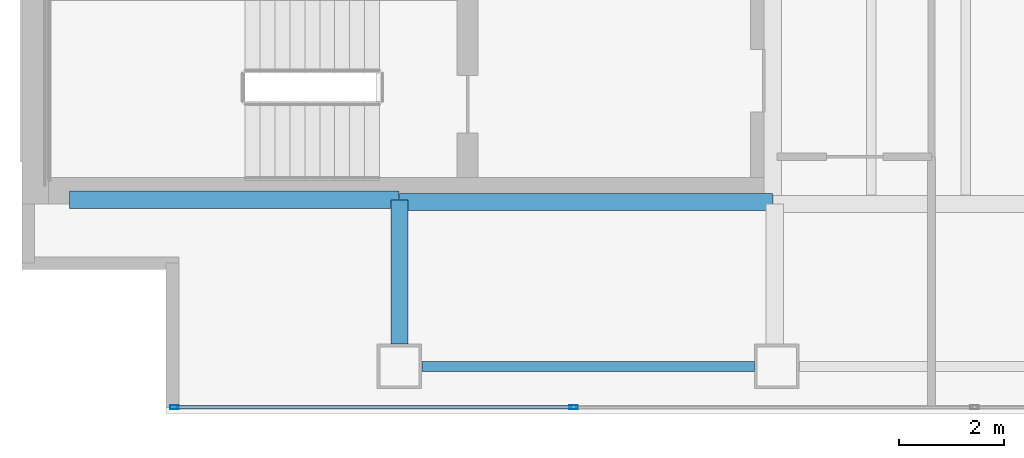
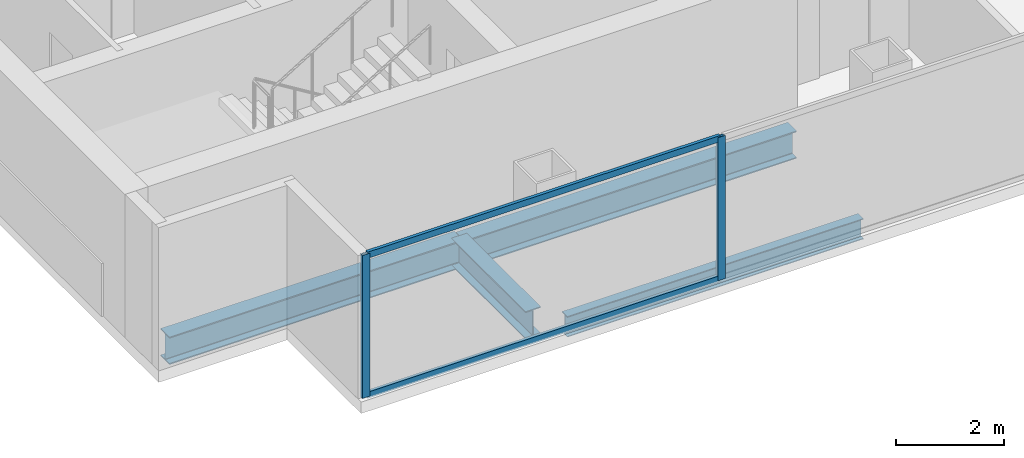
# One storey, part 2 of 23: 4 beams, 4 members, 1 element without a shape of its own.
"""IFC4 building model written with IfcOpenShell, lengths in metres."""

import ifcopenshell
import ifcopenshell.guid

model = None  # the IFC model being written
_history = None  # IfcOwnerHistory: only IFC2X3 demands one
_inside = {}  # id of a spatial element -> (the spatial element, [elements in it])
_under = {}  # id of a project, library or spatial element -> (it, [spatial elements below it])
_declared = {}  # id of a project -> (the project, [libraries it declares])
_typed = {}  # id of a type object -> (the type object, [elements of that type])
_made_of = {}  # id of a material, layer set ... -> (it, [elements and type objects made of it])


def new_model(schema):
    """Start an empty IFC model of exactly this schema.

    Asked for "IFC4X3", IfcOpenShell would pick the latest addendum, in which some entities
    have other attributes; the version numbers below select the first issue.
    IFC2X3 requires an IfcOwnerHistory on every rooted entity: one is made here for all.
    """
    global model, _history
    if schema == "IFC4X3":
        model = ifcopenshell.file(schema_version=(4, 3, 0, 0))
    else:
        model = ifcopenshell.file(schema=schema)
    _inside.clear()
    _under.clear()
    _declared.clear()
    _typed.clear()
    _made_of.clear()
    _history = None
    if model.schema == "IFC2X3":
        org = make("IfcOrganization", Name="unknown")
        user = make(
            "IfcPersonAndOrganization",
            ThePerson=make("IfcPerson", FamilyName="unknown"),
            TheOrganization=org,
        )
        app = make(
            "IfcApplication",
            ApplicationDeveloper=org,
            Version="unknown",
            ApplicationFullName="unknown",
            ApplicationIdentifier="unknown",
        )
        _history = make(
            "IfcOwnerHistory",
            OwningUser=user,
            OwningApplication=app,
            ChangeAction="ADDED",
            CreationDate=0,
        )
    return model


def make(cls, **values):
    """One entity of the class cls with the attributes given. An attribute that is None is left unset."""
    return model.create_entity(
        cls, **{name: value for name, value in values.items() if value is not None}
    )


def rooted(cls, **values):
    """An entity with a GlobalId (a new one), such as an element, a storey or a relation."""
    return make(cls, GlobalId=ifcopenshell.guid.new(), OwnerHistory=_history, **values)


def si_unit(unit_type, name, prefix=None):
    """IfcSIUnit, for example si_unit("LENGTHUNIT", "METRE", prefix="MILLI")."""
    return make("IfcSIUnit", UnitType=unit_type, Prefix=prefix, Name=name)


def assignment(units):
    """IfcUnitAssignment: the units of a project."""
    return None if units is None else make("IfcUnitAssignment", Units=units)


def point(xyz):
    """IfcCartesianPoint."""
    return None if xyz is None else make("IfcCartesianPoint", Coordinates=xyz)


def direction(xyz):
    """IfcDirection."""
    return None if xyz is None else make("IfcDirection", DirectionRatios=xyz)


def frame(location, z_axis=None, x_axis=None):
    """IfcAxis2Placement3D, a coordinate frame: its origin and axes. An axis left out is left unset."""
    return make(
        "IfcAxis2Placement3D",
        Location=point(location),
        Axis=direction(z_axis),
        RefDirection=direction(x_axis),
    )


def frame_2d(location, x_axis=None):
    """IfcAxis2Placement2D, a coordinate frame in the plane: its origin and x axis."""
    return make(
        "IfcAxis2Placement2D", Location=point(location), RefDirection=direction(x_axis)
    )


def origin():
    """The frame at (0, 0, 0) with its axes left unset."""
    return frame((0.0, 0.0, 0.0))


def origin_2d():
    """The frame at (0, 0) in the plane with its x axis left unset."""
    return frame_2d((0.0, 0.0))


def place(relative_to, where):
    """IfcLocalPlacement: puts the frame where relative to a parent placement (None: the world)."""
    return make(
        "IfcLocalPlacement", PlacementRelTo=relative_to, RelativePlacement=where
    )


def context(
    kind, dimensions, precision=None, world=None, true_north=None, identifier=None
):
    """IfcGeometricRepresentationContext, for example the 3D "Model" context."""
    return make(
        "IfcGeometricRepresentationContext",
        ContextIdentifier=identifier,
        ContextType=kind,
        CoordinateSpaceDimension=dimensions,
        Precision=precision,
        WorldCoordinateSystem=world,
        TrueNorth=true_north,
    )


def subcontext(parent, identifier, kind, view, scale=None):
    """IfcGeometricRepresentationSubContext, for example "Body" below "Model"."""
    return make(
        "IfcGeometricRepresentationSubContext",
        ContextIdentifier=identifier,
        ContextType=kind,
        ParentContext=parent,
        TargetScale=scale,
        TargetView=view,
    )


def project(units=None, contexts=None):
    """IfcProject with its units and contexts."""
    return rooted(
        "IfcProject",
        Name="project",
        RepresentationContexts=contexts,
        UnitsInContext=assignment(units),
    )


def spatial(cls, under=None, at=None, **own):
    """A site, building, storey or space (cls), placed at a placement, below another one or the project."""
    s = rooted(cls, ObjectPlacement=at, **own)
    if under is not None:
        _under.setdefault(under.id(), (under, []))[1].append(s)
    return s


def profile(cls, at=None, kind="AREA", **sizes):
    """A parametric profile (cls). Its sizes go by their IFC names, for example OverallWidth=200.0."""
    return make(cls, ProfileType=kind, Position=at, **sizes)


def hollow_rectangle(**sizes):
    """IfcRectangleHollowProfileDef."""
    return profile("IfcRectangleHollowProfileDef", **sizes)


def i_section(**sizes):
    """IfcIShapeProfileDef."""
    return profile("IfcIShapeProfileDef", **sizes)


def extrude(swept, where, along, depth):
    """IfcExtrudedAreaSolid: the profile swept, set in the frame where, extruded along a direction by depth."""
    return make(
        "IfcExtrudedAreaSolid",
        SweptArea=swept,
        Position=where,
        ExtrudedDirection=direction(along),
        Depth=depth,
    )


def shape(context_of_items, identifier, shape_type, items):
    """IfcShapeRepresentation: the items that make up one representation, for example the "Body"."""
    return make(
        "IfcShapeRepresentation",
        ContextOfItems=context_of_items,
        RepresentationIdentifier=identifier,
        RepresentationType=shape_type,
        Items=items,
    )


def material(Name=None, Category=None):
    """IfcMaterial."""
    return make("IfcMaterial", Name=Name, Category=Category)


def material_profile(
    of_material, cross_section, Name=None, Category=None, Priority=None
):
    """IfcMaterialProfile: a cross section and its material."""
    return make(
        "IfcMaterialProfile",
        Name=Name,
        Material=of_material,
        Profile=cross_section,
        Priority=Priority,
        Category=Category,
    )


def profile_set(profiles, Name=None, composite=None):
    """IfcMaterialProfileSet."""
    return make(
        "IfcMaterialProfileSet",
        Name=Name,
        MaterialProfiles=profiles,
        CompositeProfile=composite,
    )


def made_of(thing, what):
    """Note that an element or type object is made of a material, layer set ...; save() writes the relation."""
    if what is not None:
        _made_of.setdefault(what.id(), (what, []))[1].append(thing)
    return thing


def type_object(cls, material=None, **own):
    """A type object (cls), such as IfcWallType, which elements share."""
    return made_of(rooted(cls, **own), material)


def element(
    cls,
    number,
    at=None,
    inside=None,
    cuts=None,
    type_object=None,
    material=None,
    context=None,
    identifier="Body",
    shape_type=None,
    held_by="IfcProductDefinitionShape",
    body=None,
    shapes=None,
    **own,
):
    """One element of the class cls, such as IfcWall. Its Tag is "e" and its number.

    at: its placement. inside: the storey or other place that contains it. cuts: it is an
    opening in that element (IfcRelVoidsElement). A single representation is given by context,
    identifier, shape_type and body (its items); several are given by shapes. held_by: the class
    of the entity that holds the representations. save() writes the other relations.
    """
    e = rooted(cls, Tag="e%d" % number, ObjectPlacement=at, **own)
    if body is not None:
        shapes = [shape(context, identifier, shape_type, body)]
    if shapes is not None:
        e.Representation = make(held_by, Representations=shapes)
    if inside is not None:
        _inside.setdefault(inside.id(), (inside, []))[1].append(e)
    if cuts is not None:
        rooted(
            "IfcRelVoidsElement", RelatingBuildingElement=cuts, RelatedOpeningElement=e
        )
    if type_object is not None:
        _typed.setdefault(type_object.id(), (type_object, []))[1].append(e)
    return made_of(e, material)


def aggregate(whole, parts):
    """IfcRelAggregates: a whole, such as a stair, and the parts it consists of."""
    return rooted("IfcRelAggregates", RelatingObject=whole, RelatedObjects=parts)


def save(model, path):
    """Write the relations noted so far, then the file.

    IfcRelAggregates (storeys below a building ...), IfcRelContainedInSpatialStructure (elements
    in a storey), IfcRelDefinesByType, IfcRelAssociatesMaterial and IfcRelDeclares: one each for
    every whole, place, type object, material and project.
    """
    for whole, parts in _under.values():
        aggregate(whole, parts)
    for where, things in _inside.values():
        rooted(
            "IfcRelContainedInSpatialStructure",
            RelatedElements=things,
            RelatingStructure=where,
        )
    for kind, things in _typed.values():
        rooted("IfcRelDefinesByType", RelatedObjects=things, RelatingType=kind)
    for what, things in _made_of.values():
        rooted("IfcRelAssociatesMaterial", RelatedObjects=things, RelatingMaterial=what)
    for by, libraries in _declared.values():
        rooted("IfcRelDeclares", RelatingContext=by, RelatedDefinitions=libraries)
    model.write(path)


model = new_model("IFC4")

# Units and contexts
model_context = context("Model", 3, precision=1e-05, world=origin(), true_north=direction((0.0, 1.0)))
body_context = subcontext(model_context, "Body", "Model", "MODEL_VIEW")
ifc_project = project(units=[si_unit("LENGTHUNIT", "METRE"), si_unit("AREAUNIT", "SQUARE_METRE"), si_unit("VOLUMEUNIT", "CUBIC_METRE"), si_unit("PLANEANGLEUNIT", "RADIAN"), si_unit("MASSUNIT", "GRAM", prefix="KILO")], contexts=[model_context])

# Site, building, storey
site_placement = place(None, origin())
site = spatial("IfcSite", under=ifc_project, at=site_placement, CompositionType="ELEMENT")
building_placement = place(site_placement, origin())
building = spatial("IfcBuilding", under=site, at=building_placement, Name="Cobrela Telecom Tower", CompositionType="ELEMENT")
storey_placement = place(building_placement, frame((0.0, 0.0, 180.25)))
storey = spatial("IfcBuildingStorey", under=building, at=storey_placement, Name="L45", CompositionType="ELEMENT", Elevation=180.25)

# Beams
ifc_material_1 = material(Name="Steel ASTM A992 Grade 50", Category="steel")
ifc_material_profile_1 = material_profile(ifc_material_1, i_section(OverallWidth=0.327880859375, OverallDepth=0.6220703125, WebThickness=0.015380859375, FlangeThickness=0.0244140625, FilletRadius=0.014892578125, at=origin_2d()), Name="W24X131")
ifc_profile_set_1 = profile_set([ifc_material_profile_1], Name="Steel ASTM A992 Grade 50")
beam_type_1 = type_object("IfcBeamType", Name="BM-GIRD-06", PredefinedType="USERDEFINED", material=ifc_profile_set_1)
beam_1_placement = place(storey_placement, frame((0.905029296875, 7.280029296875, -0.571044921875), z_axis=(1.0, 0.0, 0.0), x_axis=(0.0, 1.0, 0.0)))
element("IfcBeam", 1, at=beam_1_placement, inside=storey, type_object=beam_type_1, Name="L45 Primary Girder X05", ObjectType="GIRDER", PredefinedType="USERDEFINED", context=body_context, shape_type="SweptSolid", body=[
    extrude(i_section(OverallWidth=0.327880859375, OverallDepth=0.6220703125, WebThickness=0.015380859375, FlangeThickness=0.0244140625, FilletRadius=0.014892578125, at=origin_2d()), origin(), (0.0, 0.0, 1.0), 6.2900390625),
])
beam_2_placement = place(storey_placement, frame((7.205078125, 7.239990234375, -0.571044921875), z_axis=(1.0, 0.0, 0.0), x_axis=(0.0, 1.0, 0.0)))
element("IfcBeam", 2, at=beam_2_placement, inside=storey, type_object=beam_type_1, Name="L45 Primary Girder X06", ObjectType="GIRDER", PredefinedType="USERDEFINED", context=body_context, shape_type="SweptSolid", body=[
    extrude(i_section(OverallWidth=0.327880859375, OverallDepth=0.6220703125, WebThickness=0.015380859375, FlangeThickness=0.0244140625, FilletRadius=0.014892578125, at=origin_2d()), origin(), (0.0, 0.0, 1.0), 7.10986328125),
])
beam_3_placement = place(storey_placement, frame((7.199951171875, 4.530029296875, -0.571044921875), z_axis=(0.0, 1.0, 0.0), x_axis=(-1.0, 0.0, 0.0)))
element("IfcBeam", 3, at=beam_3_placement, inside=storey, type_object=beam_type_1, Name="L45 Primary Girder Y24", ObjectType="GIRDER", PredefinedType="USERDEFINED", context=body_context, shape_type="SweptSolid", body=[
    extrude(i_section(OverallWidth=0.327880859375, OverallDepth=0.6220703125, WebThickness=0.015380859375, FlangeThickness=0.0244140625, FilletRadius=0.014892578125, at=origin_2d()), origin(), (0.0, 0.0, 1.0), 2.744873046875),
])
ifc_material_profile_2 = material_profile(ifc_material_1, i_section(OverallWidth=0.193115234375, OverallDepth=0.467041015625, WebThickness=0.011474609375, FlangeThickness=0.01904296875, FilletRadius=0.012939453125, at=origin_2d()), Name="W18X65")
ifc_profile_set_2 = profile_set([ifc_material_profile_2], Name="Steel ASTM A992 Grade 50")
beam_type_2 = type_object("IfcBeamType", Name="BM-SPAND-05", PredefinedType="SPANDREL", material=ifc_profile_set_2)
beam_4_placement = place(storey_placement, frame((7.6298828125, 4.10009765625, -0.493408203125), z_axis=(1.0, 0.0, 0.0), x_axis=(0.0, 1.0, 0.0)))
element("IfcBeam", 4, at=beam_4_placement, inside=storey, type_object=beam_type_2, Name="L45 Perimeter Spandrel X01", PredefinedType="SPANDREL", context=body_context, shape_type="SweptSolid", body=[
    extrude(i_section(OverallWidth=0.193115234375, OverallDepth=0.467041015625, WebThickness=0.011474609375, FlangeThickness=0.01904296875, FilletRadius=0.012939453125, at=origin_2d()), origin(), (0.0, 0.0, 1.0), 6.340087890625),
])

# Curtain wall, members
ifc_material_2 = material(Name="Anodized Bronze Aluminium 6063-T6", Category="aluminium")
curtain_wall_type = type_object("IfcCurtainWallType", Name="CW-SYS-OFF-LO", PredefinedType="USERDEFINED", material=ifc_material_2)
curtain_wall_placement = place(storey_placement, origin())
curtain_wall = element("IfcCurtainWall", 5, at=curtain_wall_placement, inside=storey, type_object=curtain_wall_type, Name="L45 Unitised Bronze Curtain Wall 17", ObjectType="UNITISED CURTAIN WALL", PredefinedType="USERDEFINED")
ifc_material_profile_3 = material_profile(ifc_material_2, hollow_rectangle(XDim=0.070068359375, YDim=0.159912109375, WallThickness=0.00390625, at=origin_2d()), Name="ALU 70x160x4")
ifc_profile_set_3 = profile_set([ifc_material_profile_3], Name="Anodized Bronze Aluminium 6063-T6")
member_type_1 = type_object("IfcMemberType", Name="CW-SYS-OFF-LO-MUL", PredefinedType="MULLION", material=ifc_profile_set_3)
member_1_placement = place(storey_placement, frame((10.52197265625, 3.320068359375, 0.0), z_axis=(0.0, 0.0, 1.0), x_axis=(0.0, -1.0, 0.0)))
member_1 = element("IfcMember", 6, at=member_1_placement, type_object=member_type_1, Name="CW-OFF-LO mullion 5", PredefinedType="MULLION", context=body_context, shape_type="SweptSolid", body=[
    extrude(hollow_rectangle(XDim=0.070068359375, YDim=0.159912109375, WallThickness=0.00390625, at=origin_2d()), origin(), (0.0, 0.0, 1.0), 3.239990234375),
])
member_2_placement = place(storey_placement, frame((2.905029296875, 3.320068359375, 0.0), z_axis=(0.0, 0.0, 1.0), x_axis=(0.0, -1.0, 0.0)))
member_2 = element("IfcMember", 7, at=member_2_placement, type_object=member_type_1, Name="CW-OFF-LO mullion 6", PredefinedType="MULLION", context=body_context, shape_type="SweptSolid", body=[
    extrude(hollow_rectangle(XDim=0.070068359375, YDim=0.159912109375, WallThickness=0.00390625, at=origin_2d()), origin(), (0.0, 0.0, 1.0), 3.239990234375),
])
ifc_material_profile_4 = material_profile(ifc_material_2, hollow_rectangle(XDim=0.070068359375, YDim=0.139892578125, WallThickness=0.00390625, at=origin_2d()), Name="ALU 70x140x4")
ifc_profile_set_4 = profile_set([ifc_material_profile_4], Name="Anodized Bronze Aluminium 6063-T6")
member_type_2 = type_object("IfcMemberType", Name="CW-SYS-OFF-LO-TRN", PredefinedType="USERDEFINED", material=ifc_profile_set_4)
member_3_placement = place(storey_placement, frame((10.487060546875, 3.320068359375, 0.034912109375), z_axis=(-1.0, 0.0, 0.0), x_axis=(0.0, -1.0, 0.0)))
member_3 = element("IfcMember", 8, at=member_3_placement, type_object=member_type_2, Name="CW-OFF-LO transom 5.1", ObjectType="TRANSOM", PredefinedType="USERDEFINED", context=body_context, shape_type="SweptSolid", body=[
    extrude(hollow_rectangle(XDim=0.070068359375, YDim=0.139892578125, WallThickness=0.00390625, at=origin_2d()), origin(), (0.0, 0.0, 1.0), 7.547119140625),
])
member_4_placement = place(storey_placement, frame((10.487060546875, 3.320068359375, 3.205078125), z_axis=(-1.0, 0.0, 0.0), x_axis=(0.0, -1.0, 0.0)))
member_4 = element("IfcMember", 9, at=member_4_placement, type_object=member_type_2, Name="CW-OFF-LO transom 5.2", ObjectType="TRANSOM", PredefinedType="USERDEFINED", context=body_context, shape_type="SweptSolid", body=[
    extrude(hollow_rectangle(XDim=0.070068359375, YDim=0.139892578125, WallThickness=0.00390625, at=origin_2d()), origin(), (0.0, 0.0, 1.0), 7.547119140625),
])
aggregate(curtain_wall, [member_1, member_2, member_3, member_4])

save(model, "model.ifc")
